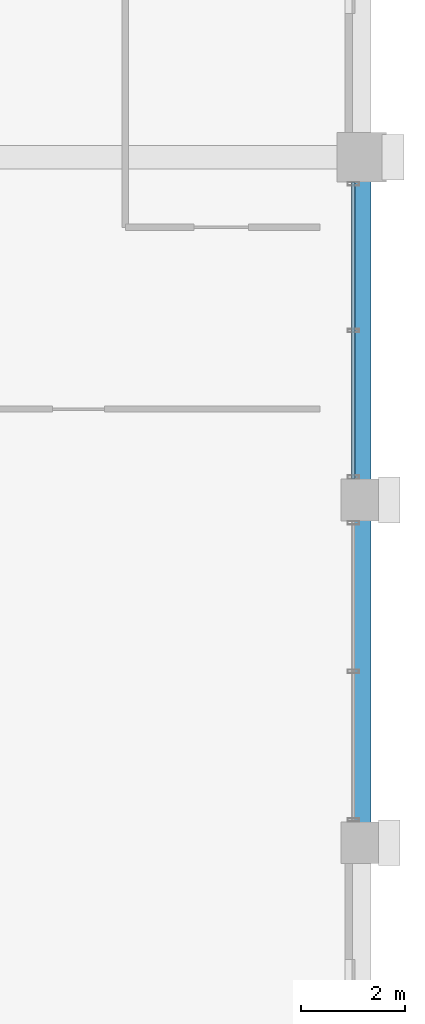
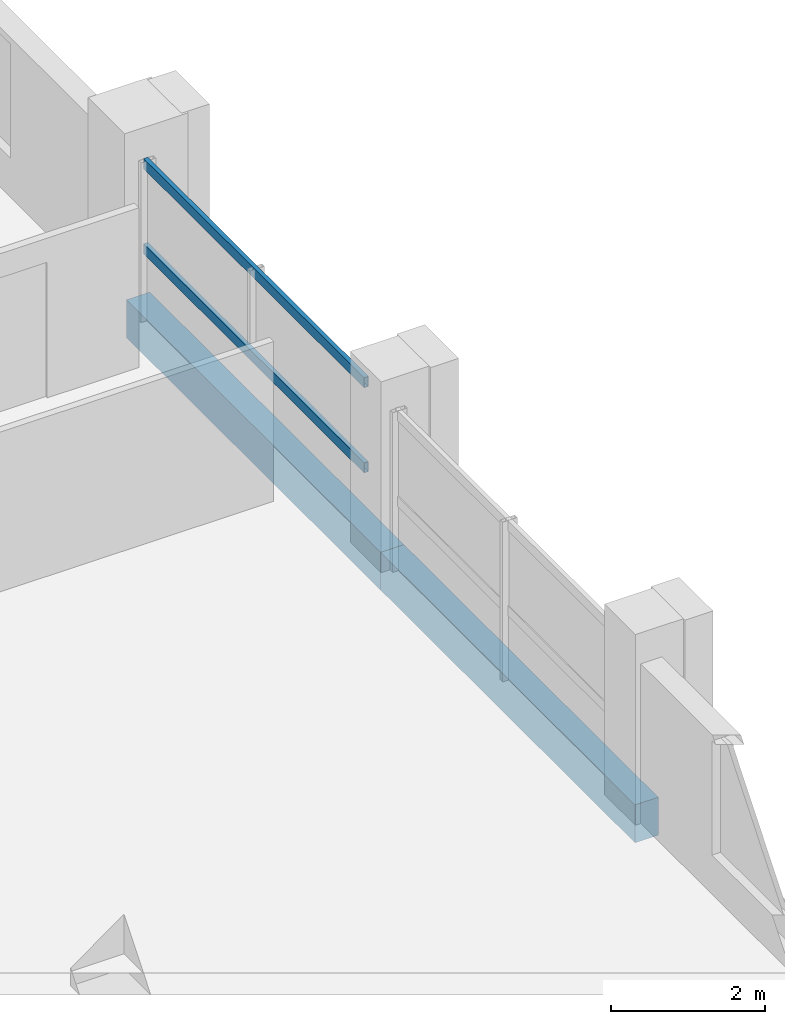
# One storey, part 10 of 23: 2 beams, 2 members, 1 element without a shape of its own.
"""IFC4 building model written with IfcOpenShell, lengths in metres."""

from ifc_helpers import new_model, si_unit, direction, frame, origin, origin_2d, place, context, subcontext, project, spatial, rectangle, hollow_rectangle, extrude, material, material_profile, profile_set, type_object, element, aggregate, save


model = new_model("IFC4")

# Units and contexts
model_context = context("Model", 3, precision=1e-05, world=origin(), true_north=direction((0.0, 1.0)))
body_context = subcontext(model_context, "Body", "Model", "MODEL_VIEW")
ifc_project = project(units=[si_unit("LENGTHUNIT", "METRE"), si_unit("AREAUNIT", "SQUARE_METRE"), si_unit("VOLUMEUNIT", "CUBIC_METRE"), si_unit("PLANEANGLEUNIT", "RADIAN"), si_unit("MASSUNIT", "GRAM", prefix="KILO")], contexts=[model_context])

# Site, building, storey
site_placement = place(None, origin())
site = spatial("IfcSite", under=ifc_project, at=site_placement, CompositionType="ELEMENT")
building_placement = place(site_placement, origin())
building = spatial("IfcBuilding", under=site, at=building_placement, Name="Akrevak Sports Hall", CompositionType="ELEMENT")
storey_placement = place(building_placement, frame((0.0, 0.0, 47.050048828125)))
storey = spatial("IfcBuildingStorey", under=building, at=storey_placement, Name="L11", CompositionType="ELEMENT", Elevation=47.050048828125)

# Curtain wall, members
ifc_material_1 = material(Name="Anodized Bronze Aluminium & Low-E Glass", Category="aluminium")
curtain_wall_type = type_object("IfcCurtainWallType", Name="ARC-CW-TWR-56x30", PredefinedType="NOTDEFINED", material=ifc_material_1)
curtain_wall_placement = place(storey_placement, origin())
curtain_wall = element("IfcCurtainWall", 1, at=curtain_wall_placement, inside=storey, type_object=curtain_wall_type, Name="Curtain Wall CW-L11-E14", PredefinedType="NOTDEFINED")
ifc_material_2 = material(Name="Anodized Bronze Aluminium", Category="aluminium")
ifc_material_profile_1 = material_profile(ifc_material_2, hollow_rectangle(XDim=0.06494140625, YDim=0.159912109375, WallThickness=0.00390625, at=origin_2d()), Name="CWT 65x160", Category="aluminium")
ifc_profile_set_1 = profile_set([ifc_material_profile_1], Name="Anodized Bronze Aluminium")
member_type = type_object("IfcMemberType", Name="ARC-CWT-70x130", PredefinedType="USERDEFINED", material=ifc_profile_set_1)
member_1_placement = place(storey_placement, frame((107.840087890625, 49.0, 1.099853515625), z_axis=(0.0, 1.0, 0.0), x_axis=(-1.0, 0.0, 0.0)))
member_1 = element("IfcMember", 2, at=member_1_placement, type_object=member_type, Name="Curtain Wall Transom CW-L11-E14-T1", ObjectType="TRANSOM", PredefinedType="USERDEFINED", context=body_context, shape_type="SweptSolid", body=[
    extrude(hollow_rectangle(XDim=0.06494140625, YDim=0.159912109375, WallThickness=0.00390625, at=origin_2d()), origin(), (0.0, 0.0, 1.0), 5.72509765625),
])
member_2_placement = place(storey_placement, frame((107.840087890625, 49.0, 2.449951171875), z_axis=(0.0, 1.0, 0.0), x_axis=(-1.0, 0.0, 0.0)))
member_2 = element("IfcMember", 3, at=member_2_placement, type_object=member_type, Name="Curtain Wall Transom CW-L11-E14-T2", ObjectType="TRANSOM", PredefinedType="USERDEFINED", context=body_context, shape_type="SweptSolid", body=[
    extrude(hollow_rectangle(XDim=0.06494140625, YDim=0.159912109375, WallThickness=0.00390625, at=origin_2d()), origin(), (0.0, 0.0, 1.0), 5.72509765625),
])
aggregate(curtain_wall, [member_1, member_2])

# Beams
ifc_material_3 = material(Name="Concrete C40/50", Category="concrete")
ifc_material_profile_2 = material_profile(ifc_material_3, rectangle(XDim=0.35009765625, YDim=0.60009765625, at=origin_2d()), Name="BM 350x600", Category="concrete")
ifc_profile_set_2 = profile_set([ifc_material_profile_2], Name="Concrete C40/50")
beam_type = type_object("IfcBeamType", Name="STR-BM-RC350x600", PredefinedType="BEAM", material=ifc_profile_set_2)
beam_1_placement = place(storey_placement, frame((108.0, 42.0, -0.300048828125), z_axis=(0.0, 1.0, 0.0), x_axis=(-1.0, 0.0, 0.0)))
element("IfcBeam", 4, at=beam_1_placement, inside=storey, type_object=beam_type, Name="Girder 15/G-H (L11)", PredefinedType="BEAM", context=body_context, shape_type="SweptSolid", body=[
    extrude(rectangle(XDim=0.35009765625, YDim=0.60009765625, at=origin_2d()), origin(), (0.0, 0.0, 1.0), 6.60009765625),
])
beam_2_placement = place(storey_placement, frame((108.0, 48.60009765625, -0.300048828125), z_axis=(0.0, 1.0, 0.0), x_axis=(-1.0, 0.0, 0.0)))
element("IfcBeam", 5, at=beam_2_placement, inside=storey, type_object=beam_type, Name="Girder 15/H-I (L11)", PredefinedType="BEAM", context=body_context, shape_type="SweptSolid", body=[
    extrude(rectangle(XDim=0.35009765625, YDim=0.60009765625, at=origin_2d()), origin(), (0.0, 0.0, 1.0), 6.599853515625),
])

save(model, "model.ifc")
